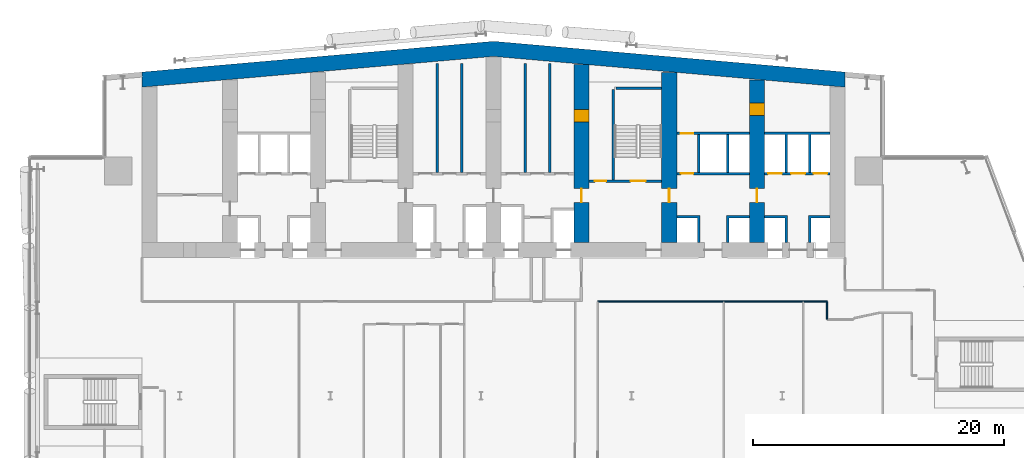
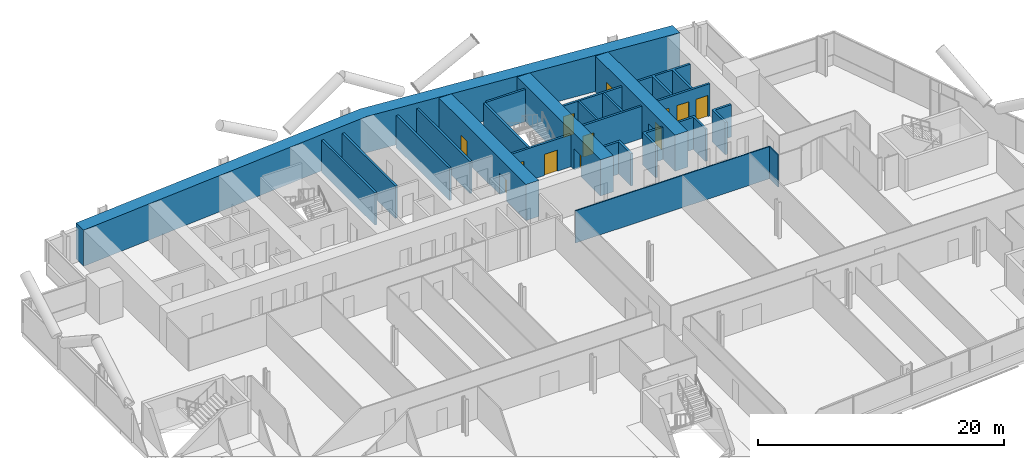
# One storey, part 17 of 27: 23 walls, 12 doors, 12 openings.
"""IFC4 building model written with IfcOpenShell, lengths in metres."""

from ifc_helpers import new_model, si_unit, direction, frame, frame_2d, origin, place, context, subcontext, project, spatial, polyline, rectangle, outline, extrude, material, layer, layer_set, type_object, element, fill, save


model = new_model("IFC4")

# Units and contexts
model_context = context("Model", 3, precision=1e-05, world=origin(), true_north=direction((0.0, 1.0)))
body_context = subcontext(model_context, "Body", "Model", "MODEL_VIEW")
ifc_project = project(units=[si_unit("LENGTHUNIT", "METRE"), si_unit("AREAUNIT", "SQUARE_METRE"), si_unit("VOLUMEUNIT", "CUBIC_METRE"), si_unit("PLANEANGLEUNIT", "RADIAN"), si_unit("MASSUNIT", "GRAM", prefix="KILO")], contexts=[model_context])

# Site, building, storey
site_placement = place(None, origin())
site = spatial("IfcSite", under=ifc_project, at=site_placement, CompositionType="ELEMENT")
building_placement = place(site_placement, origin())
building = spatial("IfcBuilding", under=site, at=building_placement, Name="Wharfspan Tower", CompositionType="ELEMENT")
storey_placement = place(building_placement, frame((0.0, 0.0, 84.699951)))
storey = spatial("IfcBuildingStorey", under=building, at=storey_placement, Name="L18", CompositionType="ELEMENT", Elevation=84.699951)

# Walls
ifc_material_1 = material(Name="Gypsum board on steel studs", Category="steel")
ifc_layer_1 = layer(ifc_material_1, 0.100098)
ifc_layer_set_1 = layer_set([ifc_layer_1], Name="Gypsum board on steel studs")
wall_type_1 = type_object("IfcWallType", Name="Compartment wall 100 EI 60", PredefinedType="PARTITIONING", material=ifc_layer_set_1)
wall_1_placement = place(storey_placement, frame((45.300049, 30.5, 0.0), z_axis=(0.0, 0.0, 1.0), x_axis=(1.0, 0.0, 0.0)))
element("IfcWall", 1, at=wall_1_placement, inside=storey, type_object=wall_type_1, Name="Partition L18.w035", PredefinedType="PARTITIONING", context=body_context, shape_type="SweptSolid", body=[
    extrude(rectangle(XDim=18.274902, YDim=0.100098, at=frame_2d((9.137451, 0.0))), origin(), (0.0, 0.0, 1.0), 3.199951),
])
wall_2_placement = place(storey_placement, frame((63.574951, 29.074951, 0.0), z_axis=(0.0, 0.0, 1.0), x_axis=(0.0, 1.0, 0.0)))
element("IfcWall", 2, at=wall_2_placement, inside=storey, type_object=wall_type_1, Name="Partition L18.w041", PredefinedType="PARTITIONING", context=body_context, shape_type="SweptSolid", body=[
    extrude(rectangle(XDim=1.425049, YDim=0.100098, at=frame_2d((0.712402, 0.0))), origin(), (0.0, 0.0, 1.0), 3.199951),
])
ifc_material_2 = material(Name="Calcium silicate masonry", Category="masonry")
ifc_layer_2 = layer(ifc_material_2, 0.199951)
ifc_layer_set_2 = layer_set([ifc_layer_2], Name="Calcium silicate masonry")
wall_type_2 = type_object("IfcWallType", Name="Core room wall 200", PredefinedType="PARTITIONING", material=ifc_layer_set_2)
for number, where, z_axis, x_axis, name in (
    (3, (32.533203, 40.800049, 0.0), (0.0, 0.0, 1.0), (0.0, 1.0, 0.0), "sw:L18:RP3.1"),
    (4, (34.466797, 40.800049, 0.0), (0.0, 0.0, 1.0), (0.0, 1.0, 0.0), "sw:L18:RP3.2"),
    (5, (39.533203, 40.800049, 0.0), (0.0, 0.0, 1.0), (0.0, 1.0, 0.0), "sw:L18:RP4.1"),
    (6, (41.466797, 40.800049, 0.0), (0.0, 0.0, 1.0), (0.0, 1.0, 0.0), "sw:L18:RP4.2"),
):
    element("IfcWall", number, at=place(storey_placement, frame(where, z_axis=z_axis, x_axis=x_axis)), inside=storey, type_object=wall_type_2, Name=name, PredefinedType="PARTITIONING", context=body_context, shape_type="SweptSolid", body=[
        extrude(rectangle(XDim=8.652588, YDim=0.199951, at=frame_2d((4.326172, 0.0))), origin(), (0.0, 0.0, 1.0), 3.199951),
    ])
ifc_material_3 = material(Name="Concrete C70/85", Category="concrete")
ifc_layer_3 = layer(ifc_material_3, 1.199951)
ifc_layer_set_3 = layer_set([ifc_layer_3], Name="Concrete C70/85")
wall_type_3 = type_object("IfcWallType", Name="Core wall 1200 C70/85", PredefinedType="SHEAR", material=ifc_layer_set_3)
wall_3_placement = place(storey_placement, origin())
element("IfcWall", 7, at=wall_3_placement, inside=storey, type_object=wall_type_3, Name="Core rear wall L18", PredefinedType="SHEAR", context=body_context, shape_type="SweptSolid", body=[
    extrude(outline(polyline([(9.0, 47.582764), (37.0, 50.032471), (65.0, 47.582764), (65.0, 48.787354), (37.0, 51.237061), (9.0, 48.787354), (9.0, 47.582764)])), origin(), (0.0, 0.0, 1.0), 3.600098),
])

# Wall, openings, doors
wall_4_placement = place(storey_placement, frame((44.0, 35.199951, 0.0), z_axis=(0.0, 0.0, 1.0), x_axis=(0.0, 1.0, 0.0)))
wall_4 = element("IfcWall", 8, at=wall_4_placement, inside=storey, type_object=wall_type_3, Name="Core cross wall X5 L18", PredefinedType="SHEAR", context=body_context, shape_type="SweptSolid", body=[
    extrude(rectangle(XDim=14.167725, YDim=1.199951, at=frame_2d((7.083984, 0.0))), origin(), (0.0, 0.0, 1.0), 3.600098),
])
opening_1_placement = place(wall_4_placement, frame((3.199951, 0.0, 0.0)))
opening_1 = element("IfcOpeningElement", 9, at=opening_1_placement, cuts=wall_4, Name="Opening CC18.5", PredefinedType="OPENING", context=body_context, shape_type="SweptSolid", body=[
    extrude(rectangle(XDim=1.100098, YDim=2.100098, at=frame_2d((0.550049, 1.050049))), frame((0.0, 0.609863, 0.0), z_axis=(0.0, -1.0, 0.0), x_axis=(1.0, 0.0, 0.0)), (0.0, 0.0, 1.0), 1.219971),
])
opening_2_placement = place(wall_4_placement, frame((9.600098, 0.0, 0.0)))
opening_2 = element("IfcOpeningElement", 10, at=opening_2_placement, cuts=wall_4, Name="Opening CR18.5", PredefinedType="OPENING", context=body_context, shape_type="SweptSolid", body=[
    extrude(rectangle(XDim=1.0, YDim=2.100098, at=frame_2d((0.5, 1.050049))), frame((0.0, 0.609863, 0.0), z_axis=(0.0, -1.0, 0.0), x_axis=(1.0, 0.0, 0.0)), (0.0, 0.0, 1.0), 1.219971),
])
ifc_material_4 = material(Name="Steel door leaf", Category="steel")
door_type_1 = type_object("IfcDoorType", Name="Core corridor door 1100x2100", OperationType="SINGLE_SWING_LEFT", PredefinedType="DOOR", material=ifc_material_4)
door_1_placement = place(opening_1_placement, origin())
door_1 = element("IfcDoor", 11, at=door_1_placement, inside=storey, type_object=door_type_1, Name="xd:L18:5", OperationType="SINGLE_SWING_LEFT", OverallHeight=2.100098, OverallWidth=1.100098, PredefinedType="DOOR", context=body_context, shape_type="SweptSolid", body=[
    extrude(rectangle(XDim=1.100098, YDim=2.100098, at=frame_2d((0.550049, 1.050049))), frame((0.0, 0.024902, 0.0), z_axis=(0.0, -1.0, 0.0), x_axis=(1.0, 0.0, 0.0)), (0.0, 0.0, 1.0), 0.050049),
])
fill(opening_1, door_1)
door_type_2 = type_object("IfcDoorType", Name="Core room door 1000x2100", OperationType="SINGLE_SWING_LEFT", PredefinedType="DOOR", material=ifc_material_4)
door_2_placement = place(opening_2_placement, origin())
door_2 = element("IfcDoor", 12, at=door_2_placement, inside=storey, type_object=door_type_2, Name="xr:L18:5", OperationType="SINGLE_SWING_RIGHT", OverallHeight=2.100098, OverallWidth=1.0, PredefinedType="DOOR", context=body_context, shape_type="SweptSolid", body=[
    extrude(rectangle(XDim=1.0, YDim=2.100098, at=frame_2d((0.5, 1.050049))), frame((0.0, 0.599609, 0.0), z_axis=(0.0, -1.0, 0.0), x_axis=(1.0, 0.0, 0.0)), (0.0, 0.0, 1.0), 1.199463),
])
fill(opening_2, door_2)

# Wall, opening, door
wall_5_placement = place(storey_placement, frame((51.0, 35.199951, 0.0), z_axis=(0.0, 0.0, 1.0), x_axis=(0.0, 1.0, 0.0)))
wall_5 = element("IfcWall", 13, at=wall_5_placement, inside=storey, type_object=wall_type_3, Name="Core cross wall X6 L18", PredefinedType="SHEAR", context=body_context, shape_type="SweptSolid", body=[
    extrude(rectangle(XDim=13.555176, YDim=1.199951, at=frame_2d((6.777588, 0.0))), origin(), (0.0, 0.0, 1.0), 3.600098),
])
opening_3_placement = place(wall_5_placement, frame((3.199951, 0.0, 0.0)))
opening_3 = element("IfcOpeningElement", 14, at=opening_3_placement, cuts=wall_5, Name="Opening CC18.6", PredefinedType="OPENING", context=body_context, shape_type="SweptSolid", body=[
    extrude(rectangle(XDim=1.100098, YDim=2.100098, at=frame_2d((0.550049, 1.050049))), frame((0.0, 0.609863, 0.0), z_axis=(0.0, -1.0, 0.0), x_axis=(1.0, 0.0, 0.0)), (0.0, 0.0, 1.0), 1.219971),
])
door_3_placement = place(opening_3_placement, origin())
door_3 = element("IfcDoor", 15, at=door_3_placement, inside=storey, type_object=door_type_1, Name="xd:L18:6", OperationType="SINGLE_SWING_RIGHT", OverallHeight=2.100098, OverallWidth=1.100098, PredefinedType="DOOR", context=body_context, shape_type="SweptSolid", body=[
    extrude(rectangle(XDim=1.100098, YDim=2.100098, at=frame_2d((0.550049, 1.050049))), frame((0.0, 0.024902, 0.0), z_axis=(0.0, -1.0, 0.0), x_axis=(1.0, 0.0, 0.0)), (0.0, 0.0, 1.0), 0.050049),
])
fill(opening_3, door_3)

# Wall, openings, doors
wall_6_placement = place(storey_placement, frame((58.0, 35.199951, 0.0), z_axis=(0.0, 0.0, 1.0), x_axis=(0.0, 1.0, 0.0)))
wall_6 = element("IfcWall", 16, at=wall_6_placement, inside=storey, type_object=wall_type_3, Name="Core cross wall X7 L18", PredefinedType="SHEAR", context=body_context, shape_type="SweptSolid", body=[
    extrude(rectangle(XDim=12.942871, YDim=1.199951, at=frame_2d((6.471436, 0.0))), origin(), (0.0, 0.0, 1.0), 3.600098),
])
opening_4_placement = place(wall_6_placement, frame((10.133789, 0.0, 0.0)))
opening_4 = element("IfcOpeningElement", 17, at=opening_4_placement, cuts=wall_6, Name="Opening CD18.7X", PredefinedType="OPENING", context=body_context, shape_type="SweptSolid", body=[
    extrude(rectangle(XDim=1.0, YDim=2.100098, at=frame_2d((0.5, 1.050049))), frame((0.0, 0.609863, 0.0), z_axis=(0.0, -1.0, 0.0), x_axis=(1.0, 0.0, 0.0)), (0.0, 0.0, 1.0), 1.219971),
])
opening_5_placement = place(wall_6_placement, frame((3.199951, 0.0, 0.0)))
opening_5 = element("IfcOpeningElement", 18, at=opening_5_placement, cuts=wall_6, Name="Opening CC18.7", PredefinedType="OPENING", context=body_context, shape_type="SweptSolid", body=[
    extrude(rectangle(XDim=1.100098, YDim=2.100098, at=frame_2d((0.550049, 1.050049))), frame((0.0, 0.609863, 0.0), z_axis=(0.0, -1.0, 0.0), x_axis=(1.0, 0.0, 0.0)), (0.0, 0.0, 1.0), 1.219971),
])
door_4_placement = place(opening_5_placement, origin())
door_4 = element("IfcDoor", 19, at=door_4_placement, inside=storey, type_object=door_type_1, Name="xd:L18:7", OperationType="SINGLE_SWING_LEFT", OverallHeight=2.100098, OverallWidth=1.100098, PredefinedType="DOOR", context=body_context, shape_type="SweptSolid", body=[
    extrude(rectangle(XDim=1.100098, YDim=2.100098, at=frame_2d((0.550049, 1.050049))), frame((0.0, 0.024902, 0.0), z_axis=(0.0, -1.0, 0.0), x_axis=(1.0, 0.0, 0.0)), (0.0, 0.0, 1.0), 0.050049),
])
fill(opening_5, door_4)
door_5_placement = place(opening_4_placement, origin())
door_5 = element("IfcDoor", 20, at=door_5_placement, inside=storey, type_object=door_type_2, Name="d:L18:7:sx", OperationType="SINGLE_SWING_LEFT", OverallHeight=2.100098, OverallWidth=1.0, PredefinedType="DOOR", context=body_context, shape_type="SweptSolid", body=[
    extrude(rectangle(XDim=1.0, YDim=2.100098, at=frame_2d((0.5, 1.050049))), frame((0.0, 0.599609, 0.0), z_axis=(0.0, -1.0, 0.0), x_axis=(1.0, 0.0, 0.0)), (0.0, 0.0, 1.0), 1.199463),
])
fill(opening_4, door_5)

# Wall, opening, door
ifc_material_5 = material(Name="Concrete C30/37", Category="concrete")
ifc_layer_4 = layer(ifc_material_5, 0.199951)
ifc_layer_set_4 = layer_set([ifc_layer_4], Name="Concrete C30/37")
wall_type_4 = type_object("IfcWallType", Name="Lift shaft wall 200", PredefinedType="PARTITIONING", material=ifc_layer_set_4)
wall_7_placement = place(storey_placement, frame((51.600098, 40.699951, 0.0), z_axis=(0.0, 0.0, 1.0), x_axis=(1.0, 0.0, 0.0)))
wall_7 = element("IfcWall", 21, at=wall_7_placement, inside=storey, type_object=wall_type_4, Name="sw:L18:RF6", PredefinedType="PARTITIONING", context=body_context, shape_type="SweptSolid", body=[
    extrude(rectangle(XDim=5.799805, YDim=0.199951, at=frame_2d((2.899902, 0.0))), origin(), (0.0, 0.0, 1.0), 3.199951),
])
opening_6_placement = place(wall_7_placement, frame((0.31665, 0.0, 0.0)))
opening_6 = element("IfcOpeningElement", 22, at=opening_6_placement, cuts=wall_7, Name="Opening CD18.6R1", PredefinedType="OPENING", context=body_context, shape_type="SweptSolid", body=[
    extrude(rectangle(XDim=1.0, YDim=2.100098, at=frame_2d((0.5, 1.050049))), frame((0.0, 0.109863, 0.0), z_axis=(0.0, -1.0, 0.0), x_axis=(1.0, 0.0, 0.0)), (0.0, 0.0, 1.0), 0.219971),
])
door_6_placement = place(opening_6_placement, origin())
door_6 = element("IfcDoor", 23, at=door_6_placement, inside=storey, type_object=door_type_2, Name="d:L18:6:rd6.1", OperationType="SINGLE_SWING_RIGHT", OverallHeight=2.100098, OverallWidth=1.0, PredefinedType="DOOR", context=body_context, shape_type="SweptSolid", body=[
    extrude(rectangle(XDim=1.0, YDim=2.100098, at=frame_2d((0.5, 1.050049))), frame((0.0, 0.024902, 0.0), z_axis=(0.0, -1.0, 0.0), x_axis=(1.0, 0.0, 0.0)), (0.0, 0.0, 1.0), 0.050049),
])
fill(opening_6, door_6)

wall_8_placement = place(storey_placement, frame((51.600098, 43.899902, 0.0), z_axis=(0.0, 0.0, 1.0), x_axis=(1.0, 0.0, 0.0)))
wall_8 = element("IfcWall", 24, at=wall_8_placement, inside=storey, type_object=wall_type_4, Name="sw:L18:RR6", PredefinedType="PARTITIONING", context=body_context, shape_type="SweptSolid", body=[
    extrude(rectangle(XDim=5.799805, YDim=0.199951, at=frame_2d((2.899902, 0.0))), origin(), (0.0, 0.0, 1.0), 3.199951),
])
opening_7_placement = place(wall_8_placement, frame((0.31665, 0.0, 0.0)))
opening_7 = element("IfcOpeningElement", 25, at=opening_7_placement, cuts=wall_8, Name="Opening CD18.6S1", PredefinedType="OPENING", context=body_context, shape_type="SweptSolid", body=[
    extrude(rectangle(XDim=1.0, YDim=2.100098, at=frame_2d((0.5, 1.050049))), frame((0.0, 0.109863, 0.0), z_axis=(0.0, -1.0, 0.0), x_axis=(1.0, 0.0, 0.0)), (0.0, 0.0, 1.0), 0.219971),
])
door_7_placement = place(opening_7_placement, origin())
door_7 = element("IfcDoor", 26, at=door_7_placement, inside=storey, type_object=door_type_2, Name="d:L18:6:rs6.1", OperationType="SINGLE_SWING_LEFT", OverallHeight=2.100098, OverallWidth=1.0, PredefinedType="DOOR", context=body_context, shape_type="SweptSolid", body=[
    extrude(rectangle(XDim=1.0, YDim=2.100098, at=frame_2d((0.5, 1.050049))), frame((0.0, 0.024902, 0.0), z_axis=(0.0, -1.0, 0.0), x_axis=(1.0, 0.0, 0.0)), (0.0, 0.0, 1.0), 0.050049),
])
fill(opening_7, door_7)

# Walls
wall_9_placement = place(storey_placement, frame((0.0, 0.0, -0.000244)))
element("IfcWall", 27, at=wall_9_placement, inside=storey, type_object=wall_type_4, Name="sw:L18:FM6.0", PredefinedType="PARTITIONING", context=body_context, shape_type="SweptSolid", body=[
    extrude(outline(polyline([(53.233398, 37.149902), (51.600098, 37.149902), (51.600098, 37.350098), (53.233398, 37.350098), (53.43335, 37.350098), (53.43335, 35.199951), (53.233398, 35.199951), (53.233398, 37.149902)])), origin(), (0.0, 0.0, 1.0), 3.200195),
])
wall_10_placement = place(storey_placement, frame((0.0, 0.0, -0.000244)))
element("IfcWall", 28, at=wall_10_placement, inside=storey, type_object=wall_type_4, Name="sw:L18:FM6.1", PredefinedType="PARTITIONING", context=body_context, shape_type="SweptSolid", body=[
    extrude(outline(polyline([(55.56665, 37.350098), (55.766602, 37.350098), (57.399902, 37.350098), (57.399902, 37.149902), (55.766602, 37.149902), (55.766602, 35.199951), (55.56665, 35.199951), (55.56665, 37.350098)])), origin(), (0.0, 0.0, 1.0), 3.200195),
])
wall_11_placement = place(storey_placement, frame((0.0, 0.0, -0.000244)))
element("IfcWall", 29, at=wall_11_placement, inside=storey, type_object=wall_type_4, Name="sw:L18:RM6.0", PredefinedType="PARTITIONING", context=body_context, shape_type="SweptSolid", body=[
    extrude(outline(polyline([(53.233398, 40.800049), (53.233398, 43.800049), (53.43335, 43.800049), (53.43335, 40.800049), (53.233398, 40.800049)])), origin(), (0.0, 0.0, 1.0), 3.200195),
])
wall_12_placement = place(storey_placement, frame((0.0, 0.0, -0.000244)))
element("IfcWall", 30, at=wall_12_placement, inside=storey, type_object=wall_type_4, Name="sw:L18:RM6.1", PredefinedType="PARTITIONING", context=body_context, shape_type="SweptSolid", body=[
    extrude(outline(polyline([(55.56665, 40.800049), (55.56665, 43.800049), (55.766602, 43.800049), (55.766602, 40.800049), (55.56665, 40.800049)])), origin(), (0.0, 0.0, 1.0), 3.200195),
])

# Wall, openings, doors
wall_13_placement = place(storey_placement, frame((58.600098, 40.699951, 0.0), z_axis=(0.0, 0.0, 1.0), x_axis=(1.0, 0.0, 0.0)))
wall_13 = element("IfcWall", 31, at=wall_13_placement, inside=storey, type_object=wall_type_4, Name="sw:L18:RF7", PredefinedType="PARTITIONING", context=body_context, shape_type="SweptSolid", body=[
    extrude(rectangle(XDim=5.199951, YDim=0.199951, at=frame_2d((2.600098, 0.0))), origin(), (0.0, 0.0, 1.0), 3.199951),
])
opening_8_placement = place(wall_13_placement, frame((0.266602, 0.0, 0.0)))
opening_8 = element("IfcOpeningElement", 32, at=opening_8_placement, cuts=wall_13, Name="Opening LD.LA8.L18", PredefinedType="OPENING", context=body_context, shape_type="SweptSolid", body=[
    extrude(rectangle(XDim=1.100098, YDim=2.100098, at=frame_2d((0.550049, 1.050049))), frame((0.0, 0.109863, 0.0), z_axis=(0.0, -1.0, 0.0), x_axis=(1.0, 0.0, 0.0)), (0.0, 0.0, 1.0), 0.219971),
])
opening_9_placement = place(wall_13_placement, frame((2.116699, 0.0, 0.0)))
opening_9 = element("IfcOpeningElement", 33, at=opening_9_placement, cuts=wall_13, Name="Opening LD.LA9.L18", PredefinedType="OPENING", context=body_context, shape_type="SweptSolid", body=[
    extrude(rectangle(XDim=1.100098, YDim=2.100098, at=frame_2d((0.550049, 1.050049))), frame((0.0, 0.109863, 0.0), z_axis=(0.0, -1.0, 0.0), x_axis=(1.0, 0.0, 0.0)), (0.0, 0.0, 1.0), 0.219971),
])
opening_10_placement = place(wall_13_placement, frame((3.899902, 0.0, 0.0)))
opening_10 = element("IfcOpeningElement", 34, at=opening_10_placement, cuts=wall_13, Name="Opening LD.LA10.L18", PredefinedType="OPENING", context=body_context, shape_type="SweptSolid", body=[
    extrude(rectangle(XDim=1.100098, YDim=2.100098, at=frame_2d((0.550049, 1.050049))), frame((0.0, 0.109863, 0.0), z_axis=(0.0, -1.0, 0.0), x_axis=(1.0, 0.0, 0.0)), (0.0, 0.0, 1.0), 0.219971),
])
ifc_material_6 = material(Name="Stainless steel", Category="steel")
door_type_3 = type_object("IfcDoorType", Name="Lift landing door 1100x2100", OperationType="DOUBLE_DOOR_SLIDING", PredefinedType="DOOR", material=ifc_material_6)
door_8_placement = place(opening_8_placement, origin())
door_8 = element("IfcDoor", 35, at=door_8_placement, inside=storey, type_object=door_type_3, Name="Landing door LA8 L18", OperationType="DOUBLE_DOOR_SLIDING", OverallHeight=2.100098, OverallWidth=1.100098, PredefinedType="DOOR", context=body_context, shape_type="SweptSolid", body=[
    extrude(rectangle(XDim=1.100098, YDim=2.100098, at=frame_2d((0.550049, 1.050049))), frame((0.0, 0.024902, 0.0), z_axis=(0.0, -1.0, 0.0), x_axis=(1.0, 0.0, 0.0)), (0.0, 0.0, 1.0), 0.050049),
])
fill(opening_8, door_8)
door_9_placement = place(opening_9_placement, origin())
door_9 = element("IfcDoor", 36, at=door_9_placement, inside=storey, type_object=door_type_3, Name="Landing door LA9 L18", OperationType="DOUBLE_DOOR_SLIDING", OverallHeight=2.100098, OverallWidth=1.100098, PredefinedType="DOOR", context=body_context, shape_type="SweptSolid", body=[
    extrude(rectangle(XDim=1.100098, YDim=2.100098, at=frame_2d((0.550049, 1.050049))), frame((0.0, 0.024902, 0.0), z_axis=(0.0, -1.0, 0.0), x_axis=(1.0, 0.0, 0.0)), (0.0, 0.0, 1.0), 0.050049),
])
fill(opening_9, door_9)
door_10_placement = place(opening_10_placement, origin())
door_10 = element("IfcDoor", 37, at=door_10_placement, inside=storey, type_object=door_type_3, Name="Landing door LA10 L18", OperationType="DOUBLE_DOOR_SLIDING", OverallHeight=2.100098, OverallWidth=1.100098, PredefinedType="DOOR", context=body_context, shape_type="SweptSolid", body=[
    extrude(rectangle(XDim=1.100098, YDim=2.100098, at=frame_2d((0.550049, 1.050049))), frame((0.0, 0.024902, 0.0), z_axis=(0.0, -1.0, 0.0), x_axis=(1.0, 0.0, 0.0)), (0.0, 0.0, 1.0), 0.050049),
])
fill(opening_10, door_10)

# Walls
wall_14_placement = place(storey_placement, frame((0.0, 0.0, -0.000244)))
element("IfcWall", 38, at=wall_14_placement, inside=storey, type_object=wall_type_4, Name="sw:L18:FM7.0", PredefinedType="PARTITIONING", context=body_context, shape_type="SweptSolid", body=[
    extrude(outline(polyline([(60.233398, 37.149902), (58.600098, 37.149902), (58.600098, 37.350098), (60.233398, 37.350098), (60.43335, 37.350098), (60.43335, 35.199951), (60.233398, 35.199951), (60.233398, 37.149902)])), origin(), (0.0, 0.0, 1.0), 3.200195),
])
wall_15_placement = place(storey_placement, frame((0.0, 0.0, -0.000244)))
element("IfcWall", 39, at=wall_15_placement, inside=storey, type_object=wall_type_4, Name="sw:L18:FM7.1", PredefinedType="PARTITIONING", context=body_context, shape_type="SweptSolid", body=[
    extrude(outline(polyline([(62.100098, 37.350098), (62.300049, 37.350098), (63.800049, 37.350098), (63.800049, 37.149902), (62.300049, 37.149902), (62.300049, 35.199951), (62.100098, 35.199951), (62.100098, 37.350098)])), origin(), (0.0, 0.0, 1.0), 3.200195),
])
wall_16_placement = place(storey_placement, frame((0.0, 0.0, -0.000244)))
element("IfcWall", 40, at=wall_16_placement, inside=storey, type_object=wall_type_4, Name="sw:L18:RM7.0", PredefinedType="PARTITIONING", context=body_context, shape_type="SweptSolid", body=[
    extrude(outline(polyline([(60.43335, 40.800049), (60.233398, 40.800049), (60.233398, 43.800049), (58.600098, 43.800049), (58.600098, 44.0), (63.800049, 44.0), (63.800049, 43.800049), (62.300049, 43.800049), (62.300049, 40.800049), (62.100098, 40.800049), (62.100098, 43.800049), (60.43335, 43.800049), (60.43335, 40.800049)])), origin(), (0.0, 0.0, 1.0), 3.200195),
])

# Wall, openings, doors
ifc_material_7 = material(Name="Concrete C40/50", Category="concrete")
ifc_layer_5 = layer(ifc_material_7, 0.199951)
ifc_layer_set_5 = layer_set([ifc_layer_5], Name="Concrete C40/50")
wall_type_5 = type_object("IfcWallType", Name="Stair shaft wall 200", PredefinedType="SHEAR", material=ifc_layer_set_5)
wall_17_placement = place(storey_placement, frame((44.600098, 40.100098, 0.0), z_axis=(0.0, 0.0, 1.0), x_axis=(1.0, 0.0, 0.0)))
wall_17 = element("IfcWall", 41, at=wall_17_placement, inside=storey, type_object=wall_type_5, Name="ST2 stair enclosure wall L18", PredefinedType="SHEAR", context=body_context, shape_type="SweptSolid", body=[
    extrude(rectangle(XDim=5.799805, YDim=0.199951, at=frame_2d((2.899902, 0.0))), origin(), (0.0, 0.0, 1.0), 3.199951),
])
opening_11_placement = place(wall_17_placement, frame((3.324951, 0.0, 0.0)))
opening_11 = element("IfcOpeningElement", 42, at=opening_11_placement, cuts=wall_17, Name="Opening SD5.L18", PredefinedType="OPENING", context=body_context, shape_type="SweptSolid", body=[
    extrude(rectangle(XDim=1.199951, YDim=2.100098, at=frame_2d((0.600098, 1.050049))), frame((0.0, 0.109863, 0.0), z_axis=(0.0, -1.0, 0.0), x_axis=(1.0, 0.0, 0.0)), (0.0, 0.0, 1.0), 0.219971),
])
opening_12_placement = place(wall_17_placement, frame((0.475098, 0.0, 0.0)))
opening_12 = element("IfcOpeningElement", 43, at=opening_12_placement, cuts=wall_17, Name="Opening CD18.5R", PredefinedType="OPENING", context=body_context, shape_type="SweptSolid", body=[
    extrude(rectangle(XDim=0.899902, YDim=2.100098, at=frame_2d((0.449951, 1.050049))), frame((0.0, 0.109863, 0.0), z_axis=(0.0, -1.0, 0.0), x_axis=(1.0, 0.0, 0.0)), (0.0, 0.0, 1.0), 0.219971),
])
door_11_placement = place(opening_12_placement, origin())
door_11 = element("IfcDoor", 44, at=door_11_placement, inside=storey, type_object=door_type_2, Name="rk:L18:5", OperationType="SINGLE_SWING_LEFT", OverallHeight=2.100098, OverallWidth=0.899902, PredefinedType="DOOR", context=body_context, shape_type="SweptSolid", body=[
    extrude(rectangle(XDim=0.899902, YDim=2.100098, at=frame_2d((0.449951, 1.050049))), frame((0.0, 0.024902, 0.0), z_axis=(0.0, -1.0, 0.0), x_axis=(1.0, 0.0, 0.0)), (0.0, 0.0, 1.0), 0.050049),
])
fill(opening_12, door_11)
door_type_4 = type_object("IfcDoorType", Name="Stair door 1200x2100", OperationType="SINGLE_SWING_LEFT", PredefinedType="DOOR", material=ifc_material_4)
door_12_placement = place(opening_11_placement, origin())
door_12 = element("IfcDoor", 45, at=door_12_placement, inside=storey, type_object=door_type_4, Name="sd:L18:5", OperationType="SINGLE_SWING_RIGHT", OverallHeight=2.100098, OverallWidth=1.199951, PredefinedType="DOOR", context=body_context, shape_type="SweptSolid", body=[
    extrude(rectangle(XDim=1.199951, YDim=2.100098, at=frame_2d((0.600098, 1.050049))), frame((0.0, 0.024902, 0.0), z_axis=(0.0, -1.0, 0.0), x_axis=(1.0, 0.0, 0.0)), (0.0, 0.0, 1.0), 0.050049),
])
fill(opening_11, door_12)

# Walls
wall_18_placement = place(storey_placement, frame((46.550049, 40.199951, 0.0), z_axis=(0.0, 0.0, 1.0), x_axis=(0.0, 1.0, 0.0)))
element("IfcWall", 46, at=wall_18_placement, inside=storey, type_object=wall_type_5, Name="ST2 stair enclosure wall L18", PredefinedType="SHEAR", context=body_context, shape_type="SweptSolid", body=[
    extrude(rectangle(XDim=7.199951, YDim=0.199951, at=frame_2d((3.600098, 0.0))), origin(), (0.0, 0.0, 1.0), 3.199951),
])
wall_19_placement = place(storey_placement, frame((46.75, 47.5, 0.0), z_axis=(0.0, 0.0, 1.0), x_axis=(1.0, 0.0, 0.0)))
element("IfcWall", 47, at=wall_19_placement, inside=storey, type_object=wall_type_5, Name="ST2 stair enclosure wall L18", PredefinedType="SHEAR", context=body_context, shape_type="SweptSolid", body=[
    extrude(rectangle(XDim=3.649902, YDim=0.199951, at=frame_2d((1.824951, 0.0))), origin(), (0.0, 0.0, 1.0), 3.199951),
])

save(model, "model.ifc")
